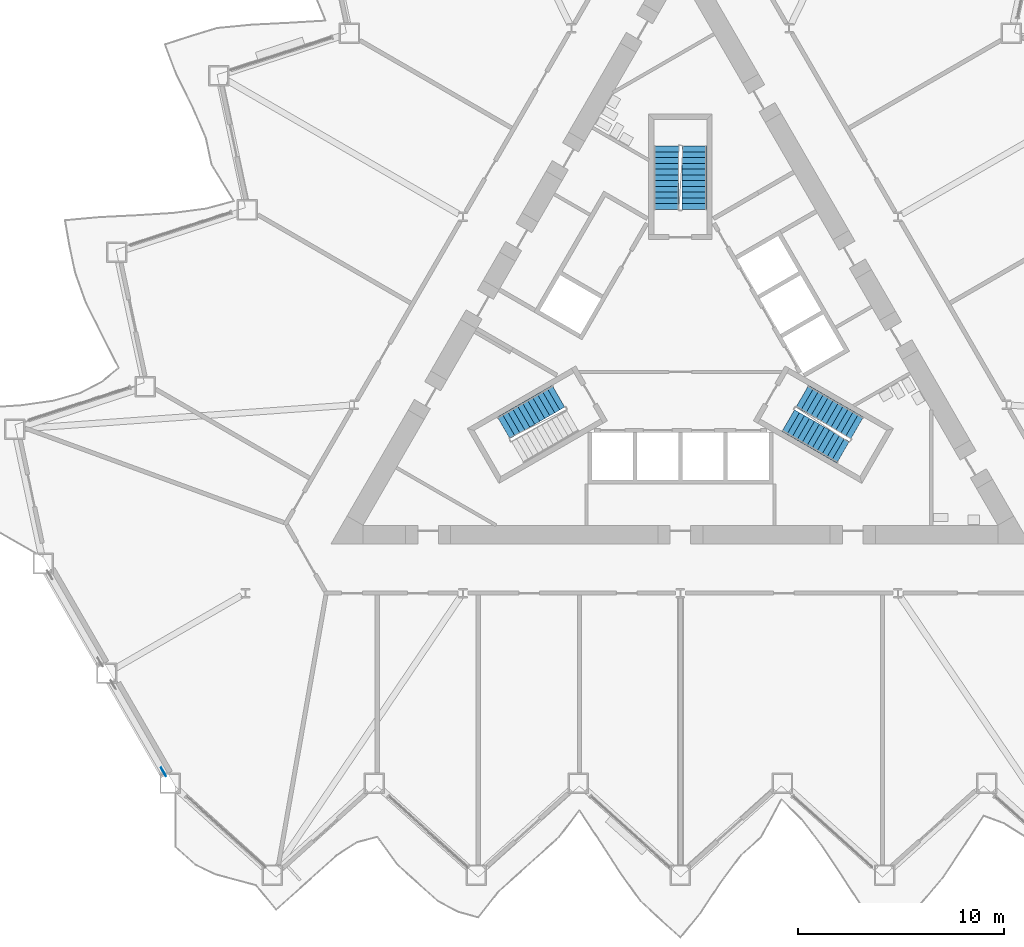
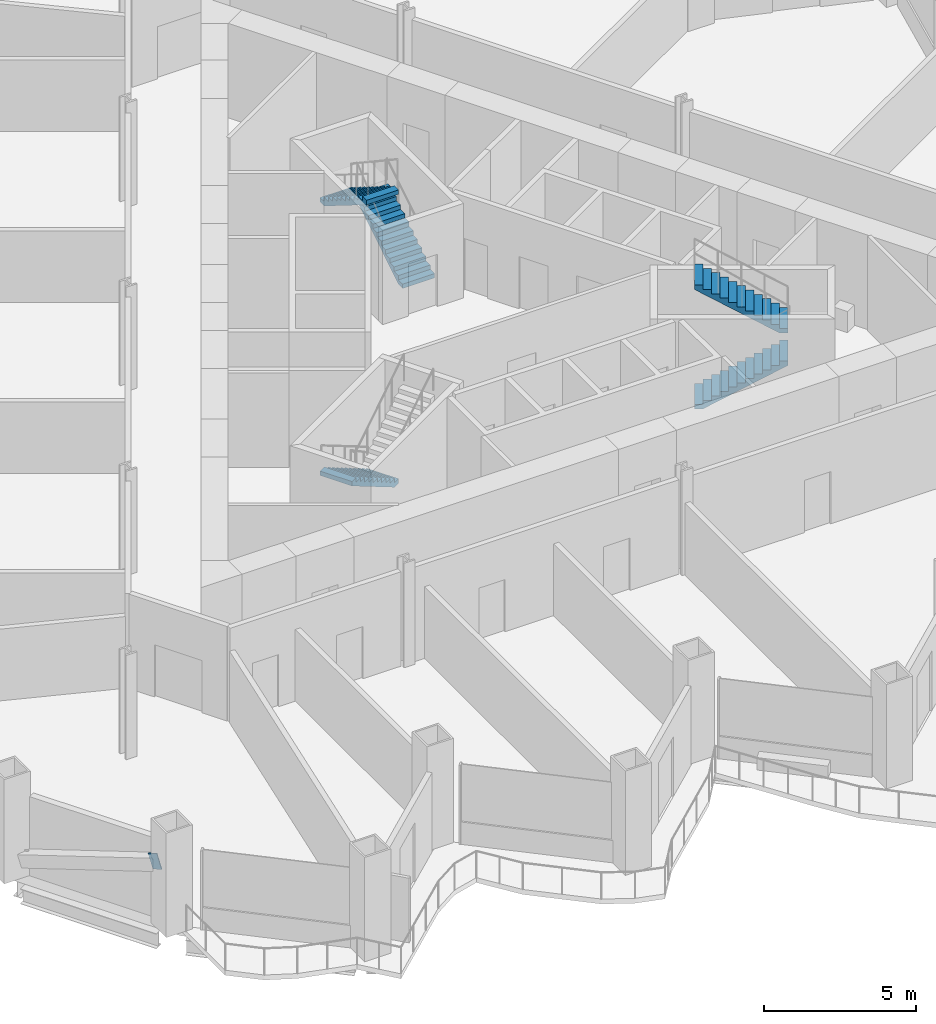
# One storey, part 13 of 21: 5 stair flights, 1 discrete accessory, 3 elements without a shape of their own.
"""IFC4 building model written with IfcOpenShell, lengths in metres."""

from ifc_helpers import new_model, si_unit, direction, frame, origin, origin_2d, place, context, subcontext, project, spatial, polyline, rectangle, outline, extrude, material, material_profile, profile_set, type_object, element, aggregate, save


model = new_model("IFC4")

# Units and contexts
model_context = context("Model", 3, precision=1e-05, world=origin(), true_north=direction((0.0, 1.0)))
body_context = subcontext(model_context, "Body", "Model", "MODEL_VIEW")
ifc_project = project(units=[si_unit("LENGTHUNIT", "METRE"), si_unit("AREAUNIT", "SQUARE_METRE"), si_unit("VOLUMEUNIT", "CUBIC_METRE"), si_unit("PLANEANGLEUNIT", "RADIAN"), si_unit("MASSUNIT", "GRAM", prefix="KILO")], contexts=[model_context])

# Site, building, storey
site_placement = place(None, origin())
site = spatial("IfcSite", under=ifc_project, at=site_placement, CompositionType="ELEMENT")
building_placement = place(site_placement, origin())
building = spatial("IfcBuilding", under=site, at=building_placement, Name="Cormorant Prow Tower", CompositionType="ELEMENT")
storey_placement = place(building_placement, frame((0.0, 0.0, 72.0)))
storey = spatial("IfcBuildingStorey", under=building, at=storey_placement, Name="L15", CompositionType="ELEMENT", Elevation=72.0)

# Stair, stair flight
ifc_material_1 = material(Name="Exit stair 24 risers")
stair_type = type_object("IfcStairType", Name="Exit stair 24 risers", PredefinedType="HALF_TURN_STAIR", material=ifc_material_1)
stair_1_placement = place(storey_placement, origin())
stair_1 = element("IfcStair", 1, at=stair_1_placement, inside=storey, type_object=stair_type, Name="L15 Exit stair ST1", PredefinedType="HALF_TURN_STAIR")
ifc_material_2 = material(Name="Concrete 5000 psi", Category="concrete")
stair_flight_type = type_object("IfcStairFlightType", Name="Stair flight 1219", PredefinedType="STRAIGHT", material=ifc_material_2)
stair_flight_1_placement = place(storey_placement, frame((-5.93310546875, -2.635009765625, 0.0), z_axis=(0.0, 0.0, 1.0), x_axis=(-0.866025403784, -0.5, 0.0)))
stair_flight_1 = element("IfcStairFlight", 2, at=stair_flight_1_placement, type_object=stair_flight_type, Name="ST1 flight 1", NumberOfRisers=12, NumberOfTreads=11, PredefinedType="STRAIGHT", RiserHeight=0.175, TreadLength=0.28, context=body_context, shape_type="SweptSolid", body=[
    extrude(outline(polyline([(0.0, 0.0), (0.0, 0.175048828125), (0.280029296875, 0.175048828125), (0.280029296875, 0.35009765625), (0.56005859375, 0.35009765625), (0.56005859375, 0.52490234375), (0.840087890625, 0.52490234375), (0.840087890625, 0.699951171875), (1.1201171875, 0.699951171875), (1.1201171875, 0.875), (1.39990234375, 0.875), (1.39990234375, 1.050048828125), (1.679931640625, 1.050048828125), (1.679931640625, 1.22509765625), (1.9599609375, 1.22509765625), (1.9599609375, 1.39990234375), (2.239990234375, 1.39990234375), (2.239990234375, 1.574951171875), (2.52001953125, 1.574951171875), (2.52001953125, 1.75), (2.800048828125, 1.75), (2.800048828125, 1.925048828125), (3.080078125, 1.925048828125), (3.080078125, 2.10009765625), (3.080078125, 1.748291015625), (0.28271484375, 0.0), (0.0, 0.0)])), frame((0.0, 0.609375, 0.0), z_axis=(0.0, -1.0, 0.0), x_axis=(1.0, 0.0, 0.0)), (0.0, 0.0, 1.0), 1.218994140625),
])
aggregate(stair_1, [stair_flight_1])

# Stair, stair flights
stair_2_placement = place(storey_placement, origin())
stair_2 = element("IfcStair", 3, at=stair_2_placement, inside=storey, type_object=stair_type, Name="L15 Exit stair ST2", PredefinedType="HALF_TURN_STAIR")
stair_flight_2_placement = place(storey_placement, frame((5.24853515625, -3.82080078125, 0.0), z_axis=(0.0, 0.0, 1.0), x_axis=(0.866025403784, -0.5, 0.0)))
stair_flight_2 = element("IfcStairFlight", 4, at=stair_flight_2_placement, type_object=stair_flight_type, Name="ST2 flight 1", NumberOfRisers=12, NumberOfTreads=11, PredefinedType="STRAIGHT", RiserHeight=0.175, TreadLength=0.28, context=body_context, shape_type="SweptSolid", body=[
    extrude(outline(polyline([(0.0, 0.0), (0.0, 0.175048828125), (0.280029296875, 0.175048828125), (0.280029296875, 0.35009765625), (0.56005859375, 0.35009765625), (0.56005859375, 0.52490234375), (0.840087890625, 0.52490234375), (0.840087890625, 0.699951171875), (1.1201171875, 0.699951171875), (1.1201171875, 0.875), (1.39990234375, 0.875), (1.39990234375, 1.050048828125), (1.679931640625, 1.050048828125), (1.679931640625, 1.22509765625), (1.9599609375, 1.22509765625), (1.9599609375, 1.39990234375), (2.239990234375, 1.39990234375), (2.239990234375, 1.574951171875), (2.52001953125, 1.574951171875), (2.52001953125, 1.75), (2.800048828125, 1.75), (2.800048828125, 1.925048828125), (3.080078125, 1.925048828125), (3.080078125, 2.10009765625), (3.080078125, 1.748291015625), (0.28271484375, 0.0), (0.0, 0.0)])), frame((0.0, 0.609375, 0.0), z_axis=(0.0, -1.0, 0.0), x_axis=(1.0, 0.0, 0.0)), (0.0, 0.0, 1.0), 1.218994140625),
])
stair_flight_3_placement = place(storey_placement, frame((8.6005859375, -4.175048828125, 2.10009765625), z_axis=(0.0, 0.0, 1.0), x_axis=(-0.866025403784, 0.5, 0.0)))
stair_flight_3 = element("IfcStairFlight", 5, at=stair_flight_3_placement, type_object=stair_flight_type, Name="ST2 flight 2", NumberOfRisers=12, NumberOfTreads=11, PredefinedType="STRAIGHT", RiserHeight=0.175, TreadLength=0.28, context=body_context, shape_type="SweptSolid", body=[
    extrude(outline(polyline([(0.0, 0.0), (0.0, 0.175048828125), (0.280029296875, 0.175048828125), (0.280029296875, 0.35009765625), (0.56005859375, 0.35009765625), (0.56005859375, 0.52490234375), (0.840087890625, 0.52490234375), (0.840087890625, 0.699951171875), (1.1201171875, 0.699951171875), (1.1201171875, 0.875), (1.39990234375, 0.875), (1.39990234375, 1.050048828125), (1.679931640625, 1.050048828125), (1.679931640625, 1.22509765625), (1.9599609375, 1.22509765625), (1.9599609375, 1.39990234375), (2.239990234375, 1.39990234375), (2.239990234375, 1.574951171875), (2.52001953125, 1.574951171875), (2.52001953125, 1.75), (2.800048828125, 1.75), (2.800048828125, 1.925048828125), (3.080078125, 1.925048828125), (3.080078125, 2.10009765625), (3.080078125, 1.748291015625), (0.28271484375, 0.0), (0.0, 0.0)])), frame((0.0, 0.609375, 0.0), z_axis=(0.0, -1.0, 0.0), x_axis=(1.0, 0.0, 0.0)), (0.0, 0.0, 1.0), 1.218994140625),
])
aggregate(stair_2, [stair_flight_2, stair_flight_3])

stair_3_placement = place(storey_placement, origin())
stair_3 = element("IfcStair", 6, at=stair_3_placement, inside=storey, type_object=stair_type, Name="L15 Exit stair ST3", PredefinedType="HALF_TURN_STAIR")
stair_flight_4_placement = place(storey_placement, frame((0.6845703125, 6.455810546875, 0.0), z_axis=(0.0, 0.0, 1.0), x_axis=(0.0, 1.0, 0.0)))
stair_flight_4 = element("IfcStairFlight", 7, at=stair_flight_4_placement, type_object=stair_flight_type, Name="ST3 flight 1", NumberOfRisers=12, NumberOfTreads=11, PredefinedType="STRAIGHT", RiserHeight=0.175, TreadLength=0.28, context=body_context, shape_type="SweptSolid", body=[
    extrude(outline(polyline([(0.0, 0.0), (0.0, 0.175048828125), (0.280029296875, 0.175048828125), (0.280029296875, 0.35009765625), (0.56005859375, 0.35009765625), (0.56005859375, 0.52490234375), (0.840087890625, 0.52490234375), (0.840087890625, 0.699951171875), (1.1201171875, 0.699951171875), (1.1201171875, 0.875), (1.39990234375, 0.875), (1.39990234375, 1.050048828125), (1.679931640625, 1.050048828125), (1.679931640625, 1.22509765625), (1.9599609375, 1.22509765625), (1.9599609375, 1.39990234375), (2.239990234375, 1.39990234375), (2.239990234375, 1.574951171875), (2.52001953125, 1.574951171875), (2.52001953125, 1.75), (2.800048828125, 1.75), (2.800048828125, 1.925048828125), (3.080078125, 1.925048828125), (3.080078125, 2.10009765625), (3.080078125, 1.748291015625), (0.28271484375, 0.0), (0.0, 0.0)])), frame((0.0, 0.609375, 0.0), z_axis=(0.0, -1.0, 0.0), x_axis=(1.0, 0.0, 0.0)), (0.0, 0.0, 1.0), 1.218994140625),
])
stair_flight_5_placement = place(storey_placement, frame((-0.6845703125, 9.535888671875, 2.10009765625), z_axis=(0.0, 0.0, 1.0), x_axis=(0.0, -1.0, 0.0)))
stair_flight_5 = element("IfcStairFlight", 8, at=stair_flight_5_placement, type_object=stair_flight_type, Name="ST3 flight 2", NumberOfRisers=12, NumberOfTreads=11, PredefinedType="STRAIGHT", RiserHeight=0.175, TreadLength=0.28, context=body_context, shape_type="SweptSolid", body=[
    extrude(outline(polyline([(0.0, 0.0), (0.0, 0.175048828125), (0.280029296875, 0.175048828125), (0.280029296875, 0.35009765625), (0.56005859375, 0.35009765625), (0.56005859375, 0.52490234375), (0.840087890625, 0.52490234375), (0.840087890625, 0.699951171875), (1.1201171875, 0.699951171875), (1.1201171875, 0.875), (1.39990234375, 0.875), (1.39990234375, 1.050048828125), (1.679931640625, 1.050048828125), (1.679931640625, 1.22509765625), (1.9599609375, 1.22509765625), (1.9599609375, 1.39990234375), (2.239990234375, 1.39990234375), (2.239990234375, 1.574951171875), (2.52001953125, 1.574951171875), (2.52001953125, 1.75), (2.800048828125, 1.75), (2.800048828125, 1.925048828125), (3.080078125, 1.925048828125), (3.080078125, 2.10009765625), (3.080078125, 1.748291015625), (0.28271484375, 0.0), (0.0, 0.0)])), frame((0.0, 0.609375, 0.0), z_axis=(0.0, -1.0, 0.0), x_axis=(1.0, 0.0, 0.0)), (0.0, 0.0, 1.0), 1.218994140625),
])
aggregate(stair_3, [stair_flight_4, stair_flight_5])

# Discrete accessory
ifc_material_3 = material(Name="Structural steel ASTM A500 Gr C", Category="steel")
ifc_material_profile = material_profile(ifc_material_3, rectangle(XDim=0.031982421875, YDim=0.60791015625, at=origin_2d()), Name="Gusset plate 32x608")
ifc_profile_set = profile_set([ifc_material_profile], Name="Structural steel ASTM A500 Gr C")
discrete_accessory_type = type_object("IfcDiscreteAccessoryType", Name="Gusset plate 32x608", PredefinedType="BRACKET", material=ifc_profile_set)
discrete_accessory_placement = place(storey_placement, frame((-25.232421875, -20.763427734375, 2.32958984375), z_axis=(0.475651503409, -0.824369614413, 0.306871937683), x_axis=(0.866161185697, 0.499764745047, 0.0)))
element("IfcDiscreteAccessory", 9, at=discrete_accessory_placement, inside=storey, type_object=discrete_accessory_type, Name="Gusset plate GP1 L15.WSW01.g1", PredefinedType="BRACKET", context=body_context, shape_type="SweptSolid", body=[
    extrude(rectangle(XDim=0.031982421875, YDim=0.60791015625, at=origin_2d()), origin(), (0.0, 0.0, 1.0), 0.35009765625),
])

save(model, "model.ifc")
